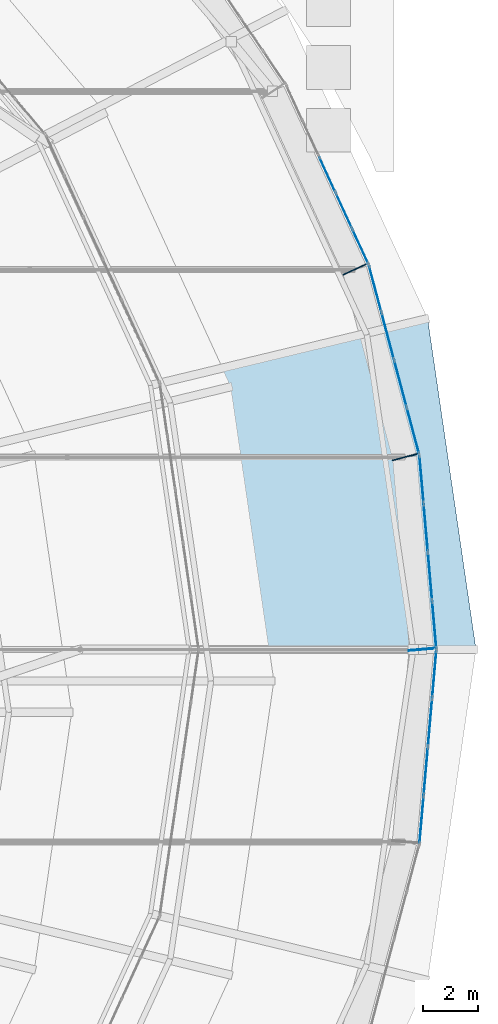
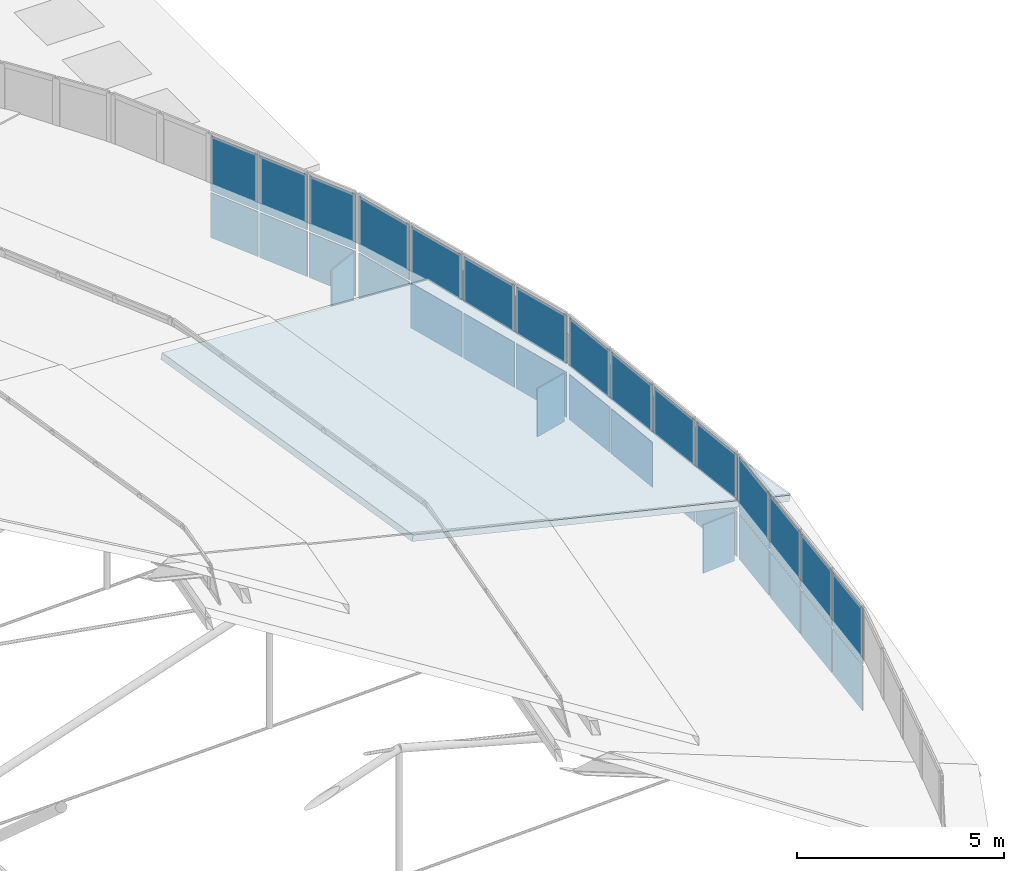
# One storey, part 154 of 173: 33 plates, 1 slab, 5 elements without a shape of their own.
"""IFC4 building model written with IfcOpenShell, lengths in metres."""

from ifc_helpers import new_model, si_unit, direction, frame, origin, origin_2d, place, context, subcontext, project, spatial, polyline, rectangle, outline, extrude, material, layer, layer_set, type_object, element, aggregate, save


model = new_model("IFC4")

# Units and contexts
model_context = context("Model", 3, precision=1e-05, world=origin(), true_north=direction((0.0, 1.0)))
body_context = subcontext(model_context, "Body", "Model", "MODEL_VIEW")
ifc_project = project(units=[si_unit("LENGTHUNIT", "METRE"), si_unit("AREAUNIT", "SQUARE_METRE"), si_unit("VOLUMEUNIT", "CUBIC_METRE"), si_unit("PLANEANGLEUNIT", "RADIAN"), si_unit("MASSUNIT", "GRAM", prefix="KILO")], contexts=[model_context])

# Site, building, storey
site_placement = place(None, origin())
site = spatial("IfcSite", under=ifc_project, at=site_placement, CompositionType="ELEMENT")
building_placement = place(site_placement, origin())
building = spatial("IfcBuilding", under=site, at=building_placement, Name="Glasvene Arena", CompositionType="ELEMENT")
storey_placement = place(building_placement, frame((0.0, 0.0, 28.800048828125)))
storey = spatial("IfcBuildingStorey", under=building, at=storey_placement, Name="RF", CompositionType="ELEMENT", Elevation=28.800048828125)

# Curtain wall, plates
ifc_material_1 = material(Name="Low-emissivity laminated double glazing", Category="glass")
curtain_wall_type_1 = type_object("IfcCurtainWallType", Name="CW-DRUM-715x310", PredefinedType="USERDEFINED", material=ifc_material_1)
curtain_wall_1_placement = place(storey_placement, frame((142.550048828125, 73.0, 0.0)))
curtain_wall_1 = element("IfcCurtainWall", 1, at=curtain_wall_1_placement, inside=storey, type_object=curtain_wall_type_1, Name="Crown compression-ring fascia curtain wall 01", ObjectType="CURTAIN WALL", PredefinedType="USERDEFINED")
ifc_material_2 = material(Name="Insulated shadow-box spandrel panel")
ifc_layer_1 = layer(ifc_material_2, 0.02392578125)
ifc_layer_set_1 = layer_set([ifc_layer_1], Name="Insulated shadow-box spandrel panel")
plate_type_1 = type_object("IfcPlateType", Name="CW-SPN-24", PredefinedType="CURTAIN_PANEL", material=ifc_layer_set_1)
plate_1_placement = place(storey_placement, frame((142.47119140625, 73.903076171875, -1.330078125), z_axis=(0.0, 0.0, 1.0), x_axis=(-0.0870157178, 0.996206938771, 0.0)))
plate_1 = element("IfcPlate", 2, at=plate_1_placement, type_object=plate_type_1, Name="CW-071 panel 1.1", PredefinedType="CURTAIN_PANEL", context=body_context, shape_type="SweptSolid", body=[
    extrude(rectangle(XDim=1.713134765625, YDim=0.02392578125, at=origin_2d()), origin(), (0.0, 0.0, 1.0), 1.324951171875),
])
plate_2_placement = place(storey_placement, frame((142.47119140625, 73.903076171875, 0.044921875), z_axis=(0.0, 0.0, 1.0), x_axis=(-0.0870157178, 0.996206938771, 0.0)))
plate_2 = element("IfcPlate", 3, at=plate_2_placement, type_object=plate_type_1, Name="CW-071 panel 1.2", PredefinedType="CURTAIN_PANEL", context=body_context, shape_type="SweptSolid", body=[
    extrude(rectangle(XDim=1.713134765625, YDim=0.02392578125, at=origin_2d()), origin(), (0.0, 0.0, 1.0), 1.625),
])
plate_3_placement = place(storey_placement, frame((142.316650390625, 75.672119140625, -1.330078125), z_axis=(0.0, 0.0, 1.0), x_axis=(-0.0870157178, 0.996206938771, 0.0)))
plate_3 = element("IfcPlate", 4, at=plate_3_placement, type_object=plate_type_1, Name="CW-071 panel 2.1", PredefinedType="CURTAIN_PANEL", context=body_context, shape_type="SweptSolid", body=[
    extrude(rectangle(XDim=1.73828125, YDim=0.02392578125, at=origin_2d()), origin(), (0.0, 0.0, 1.0), 1.324951171875),
])
plate_4_placement = place(storey_placement, frame((142.316650390625, 75.672119140625, 0.044921875), z_axis=(0.0, 0.0, 1.0), x_axis=(-0.0870157178, 0.996206938771, 0.0)))
plate_4 = element("IfcPlate", 5, at=plate_4_placement, type_object=plate_type_1, Name="CW-071 panel 2.2", PredefinedType="CURTAIN_PANEL", context=body_context, shape_type="SweptSolid", body=[
    extrude(rectangle(XDim=1.73828125, YDim=0.02392578125, at=origin_2d()), origin(), (0.0, 0.0, 1.0), 1.625),
])
plate_5_placement = place(storey_placement, frame((142.160888671875, 77.45361328125, -1.330078125), z_axis=(0.0, 0.0, 1.0), x_axis=(-0.0870157178, 0.996206938771, 0.0)))
plate_5 = element("IfcPlate", 6, at=plate_5_placement, type_object=plate_type_1, Name="CW-071 panel 3.1", PredefinedType="CURTAIN_PANEL", context=body_context, shape_type="SweptSolid", body=[
    extrude(rectangle(XDim=1.73828125, YDim=0.02392578125, at=origin_2d()), origin(), (0.0, 0.0, 1.0), 1.324951171875),
])
plate_6_placement = place(storey_placement, frame((142.160888671875, 77.45361328125, 0.044921875), z_axis=(0.0, 0.0, 1.0), x_axis=(-0.0870157178, 0.996206938771, 0.0)))
plate_6 = element("IfcPlate", 7, at=plate_6_placement, type_object=plate_type_1, Name="CW-071 panel 3.2", PredefinedType="CURTAIN_PANEL", context=body_context, shape_type="SweptSolid", body=[
    extrude(rectangle(XDim=1.73828125, YDim=0.02392578125, at=origin_2d()), origin(), (0.0, 0.0, 1.0), 1.625),
])
plate_7_placement = place(storey_placement, frame((142.006591796875, 79.222412109375, -1.330078125), z_axis=(0.0, 0.0, 1.0), x_axis=(-0.0870157178, 0.996206938771, 0.0)))
plate_7 = element("IfcPlate", 8, at=plate_7_placement, type_object=plate_type_1, Name="CW-071 panel 4.1", PredefinedType="CURTAIN_PANEL", context=body_context, shape_type="SweptSolid", body=[
    extrude(rectangle(XDim=1.713134765625, YDim=0.02392578125, at=origin_2d()), origin(), (0.0, 0.0, 1.0), 1.324951171875),
])
plate_8_placement = place(storey_placement, frame((142.006591796875, 79.222412109375, 0.044921875), z_axis=(0.0, 0.0, 1.0), x_axis=(-0.0870157178, 0.996206938771, 0.0)))
plate_8 = element("IfcPlate", 9, at=plate_8_placement, type_object=plate_type_1, Name="CW-071 panel 4.2", PredefinedType="CURTAIN_PANEL", context=body_context, shape_type="SweptSolid", body=[
    extrude(rectangle(XDim=1.713134765625, YDim=0.02392578125, at=origin_2d()), origin(), (0.0, 0.0, 1.0), 1.625),
])
aggregate(curtain_wall_1, [plate_1, plate_2, plate_3, plate_4, plate_5, plate_6, plate_7, plate_8])

curtain_wall_type_2 = type_object("IfcCurtainWallType", Name="CW-DRUM-719x310", PredefinedType="USERDEFINED", material=ifc_material_1)
curtain_wall_2_placement = place(storey_placement, frame((141.927490234375, 80.12548828125, 0.0)))
curtain_wall_2 = element("IfcCurtainWall", 10, at=curtain_wall_2_placement, inside=storey, type_object=curtain_wall_type_2, Name="Crown compression-ring fascia curtain wall 02", ObjectType="CURTAIN WALL", PredefinedType="USERDEFINED")
plate_9_placement = place(storey_placement, frame((141.69287109375, 81.00634765625, -1.330078125), z_axis=(0.0, 0.0, 1.0), x_axis=(-0.257447172039, 0.966292374807, 0.0)))
plate_9 = element("IfcPlate", 11, at=plate_9_placement, type_object=plate_type_1, Name="CW-072 panel 1.1", PredefinedType="CURTAIN_PANEL", context=body_context, shape_type="SweptSolid", body=[
    extrude(rectangle(XDim=1.72314453125, YDim=0.02392578125, at=origin_2d()), origin(), (0.0, 0.0, 1.0), 1.324951171875),
])
plate_10_placement = place(storey_placement, frame((141.69287109375, 81.00634765625, 0.044921875), z_axis=(0.0, 0.0, 1.0), x_axis=(-0.257447172039, 0.966292374807, 0.0)))
plate_10 = element("IfcPlate", 12, at=plate_10_placement, type_object=plate_type_1, Name="CW-072 panel 1.2", PredefinedType="CURTAIN_PANEL", context=body_context, shape_type="SweptSolid", body=[
    extrude(rectangle(XDim=1.72314453125, YDim=0.02392578125, at=origin_2d()), origin(), (0.0, 0.0, 1.0), 1.625),
])
plate_11_placement = place(storey_placement, frame((141.233154296875, 82.73193359375, -1.330078125), z_axis=(0.0, 0.0, 1.0), x_axis=(-0.257447172039, 0.966292374807, 0.0)))
plate_11 = element("IfcPlate", 13, at=plate_11_placement, type_object=plate_type_1, Name="CW-072 panel 2.1", PredefinedType="CURTAIN_PANEL", context=body_context, shape_type="SweptSolid", body=[
    extrude(rectangle(XDim=1.748046875, YDim=0.02392578125, at=origin_2d()), origin(), (0.0, 0.0, 1.0), 1.324951171875),
])
plate_12_placement = place(storey_placement, frame((141.233154296875, 82.73193359375, 0.044921875), z_axis=(0.0, 0.0, 1.0), x_axis=(-0.257447172039, 0.966292374807, 0.0)))
plate_12 = element("IfcPlate", 14, at=plate_12_placement, type_object=plate_type_1, Name="CW-072 panel 2.2", PredefinedType="CURTAIN_PANEL", context=body_context, shape_type="SweptSolid", body=[
    extrude(rectangle(XDim=1.748046875, YDim=0.02392578125, at=origin_2d()), origin(), (0.0, 0.0, 1.0), 1.625),
])
plate_13_placement = place(storey_placement, frame((140.770263671875, 84.469482421875, -1.330078125), z_axis=(0.0, 0.0, 1.0), x_axis=(-0.257447172039, 0.966292374807, 0.0)))
plate_13 = element("IfcPlate", 15, at=plate_13_placement, type_object=plate_type_1, Name="CW-072 panel 3.1", PredefinedType="CURTAIN_PANEL", context=body_context, shape_type="SweptSolid", body=[
    extrude(rectangle(XDim=1.748046875, YDim=0.02392578125, at=origin_2d()), origin(), (0.0, 0.0, 1.0), 1.324951171875),
])
plate_14_placement = place(storey_placement, frame((140.770263671875, 84.469482421875, 0.044921875), z_axis=(0.0, 0.0, 1.0), x_axis=(-0.257447172039, 0.966292374807, 0.0)))
plate_14 = element("IfcPlate", 16, at=plate_14_placement, type_object=plate_type_1, Name="CW-072 panel 3.2", PredefinedType="CURTAIN_PANEL", context=body_context, shape_type="SweptSolid", body=[
    extrude(rectangle(XDim=1.748046875, YDim=0.02392578125, at=origin_2d()), origin(), (0.0, 0.0, 1.0), 1.625),
])
plate_15_placement = place(storey_placement, frame((140.310546875, 86.19482421875, -1.330078125), z_axis=(0.0, 0.0, 1.0), x_axis=(-0.257447172039, 0.966292374807, 0.0)))
plate_15 = element("IfcPlate", 17, at=plate_15_placement, type_object=plate_type_1, Name="CW-072 panel 4.1", PredefinedType="CURTAIN_PANEL", context=body_context, shape_type="SweptSolid", body=[
    extrude(rectangle(XDim=1.72314453125, YDim=0.02392578125, at=origin_2d()), origin(), (0.0, 0.0, 1.0), 1.324951171875),
])
plate_16_placement = place(storey_placement, frame((140.310546875, 86.19482421875, 0.044921875), z_axis=(0.0, 0.0, 1.0), x_axis=(-0.257447172039, 0.966292374807, 0.0)))
plate_16 = element("IfcPlate", 18, at=plate_16_placement, type_object=plate_type_1, Name="CW-072 panel 4.2", PredefinedType="CURTAIN_PANEL", context=body_context, shape_type="SweptSolid", body=[
    extrude(rectangle(XDim=1.72314453125, YDim=0.02392578125, at=origin_2d()), origin(), (0.0, 0.0, 1.0), 1.625),
])
aggregate(curtain_wall_2, [plate_9, plate_10, plate_11, plate_12, plate_13, plate_14, plate_15, plate_16])

curtain_wall_type_3 = type_object("IfcCurtainWallType", Name="CW-DRUM-727x310", PredefinedType="USERDEFINED", material=ifc_material_1)
curtain_wall_3_placement = place(storey_placement, frame((140.075927734375, 87.07568359375, 0.0)))
curtain_wall_3 = element("IfcCurtainWall", 19, at=curtain_wall_3_placement, inside=storey, type_object=curtain_wall_type_3, Name="Crown compression-ring fascia curtain wall 03", ObjectType="CURTAIN WALL", PredefinedType="USERDEFINED")
plate_17_placement = place(storey_placement, frame((139.76708984375, 87.747314453125, -1.330078125), z_axis=(0.0, 0.0, 1.0), x_axis=(-0.417660752738, 0.908603046232, 0.0)))
plate_17 = element("IfcPlate", 20, at=plate_17_placement, type_object=plate_type_1, Name="CW-073 panel 1.1", PredefinedType="CURTAIN_PANEL", context=body_context, shape_type="SweptSolid", body=[
    extrude(rectangle(XDim=1.378662109375, YDim=0.02392578125, at=origin_2d()), origin(), (0.0, 0.0, 1.0), 1.324951171875),
])
plate_18_placement = place(storey_placement, frame((139.76708984375, 87.747314453125, 0.044921875), z_axis=(0.0, 0.0, 1.0), x_axis=(-0.417660752738, 0.908603046232, 0.0)))
plate_18 = element("IfcPlate", 21, at=plate_18_placement, type_object=plate_type_1, Name="CW-073 panel 1.2", PredefinedType="CURTAIN_PANEL", context=body_context, shape_type="SweptSolid", body=[
    extrude(rectangle(XDim=1.378662109375, YDim=0.02392578125, at=origin_2d()), origin(), (0.0, 0.0, 1.0), 1.625),
])
plate_19_placement = place(storey_placement, frame((139.165283203125, 89.056884765625, -1.330078125), z_axis=(0.0, 0.0, 1.0), x_axis=(-0.417660752738, 0.908603046232, 0.0)))
plate_19 = element("IfcPlate", 22, at=plate_19_placement, type_object=plate_type_1, Name="CW-073 panel 2.1", PredefinedType="CURTAIN_PANEL", context=body_context, shape_type="SweptSolid", body=[
    extrude(rectangle(XDim=1.403564453125, YDim=0.02392578125, at=origin_2d()), origin(), (0.0, 0.0, 1.0), 1.324951171875),
])
plate_20_placement = place(storey_placement, frame((139.165283203125, 89.056884765625, 0.044921875), z_axis=(0.0, 0.0, 1.0), x_axis=(-0.417660752738, 0.908603046232, 0.0)))
plate_20 = element("IfcPlate", 23, at=plate_20_placement, type_object=plate_type_1, Name="CW-073 panel 2.2", PredefinedType="CURTAIN_PANEL", context=body_context, shape_type="SweptSolid", body=[
    extrude(rectangle(XDim=1.403564453125, YDim=0.02392578125, at=origin_2d()), origin(), (0.0, 0.0, 1.0), 1.625),
])
plate_21_placement = place(storey_placement, frame((138.55810546875, 90.37744140625, -1.330078125), z_axis=(0.0, 0.0, 1.0), x_axis=(-0.417660752738, 0.908603046232, 0.0)))
plate_21 = element("IfcPlate", 24, at=plate_21_placement, type_object=plate_type_1, Name="CW-073 panel 3.1", PredefinedType="CURTAIN_PANEL", context=body_context, shape_type="SweptSolid", body=[
    extrude(rectangle(XDim=1.403564453125, YDim=0.02392578125, at=origin_2d()), origin(), (0.0, 0.0, 1.0), 1.324951171875),
])
plate_22_placement = place(storey_placement, frame((138.55810546875, 90.37744140625, 0.044921875), z_axis=(0.0, 0.0, 1.0), x_axis=(-0.417660752738, 0.908603046232, 0.0)))
plate_22 = element("IfcPlate", 25, at=plate_22_placement, type_object=plate_type_1, Name="CW-073 panel 3.2", PredefinedType="CURTAIN_PANEL", context=body_context, shape_type="SweptSolid", body=[
    extrude(rectangle(XDim=1.403564453125, YDim=0.02392578125, at=origin_2d()), origin(), (0.0, 0.0, 1.0), 1.625),
])
aggregate(curtain_wall_3, [plate_17, plate_18, plate_19, plate_20, plate_21, plate_22])

curtain_wall_4_placement = place(storey_placement, frame((141.927490234375, 65.87451171875, 0.0)))
curtain_wall_4 = element("IfcCurtainWall", 26, at=curtain_wall_4_placement, inside=storey, type_object=curtain_wall_type_1, Name="Crown compression-ring fascia curtain wall 40", ObjectType="CURTAIN WALL", PredefinedType="USERDEFINED")
plate_23_placement = place(storey_placement, frame((142.006591796875, 66.777587890625, -1.330078125), z_axis=(0.0, 0.0, 1.0), x_axis=(0.0870157178, 0.996206938771, 0.0)))
plate_23 = element("IfcPlate", 27, at=plate_23_placement, type_object=plate_type_1, Name="CW-071 panel 1.1", PredefinedType="CURTAIN_PANEL", context=body_context, shape_type="SweptSolid", body=[
    extrude(rectangle(XDim=1.713134765625, YDim=0.02392578125, at=origin_2d()), origin(), (0.0, 0.0, 1.0), 1.324951171875),
])
plate_24_placement = place(storey_placement, frame((142.006591796875, 66.777587890625, 0.044921875), z_axis=(0.0, 0.0, 1.0), x_axis=(0.0870157178, 0.996206938771, 0.0)))
plate_24 = element("IfcPlate", 28, at=plate_24_placement, type_object=plate_type_1, Name="CW-071 panel 1.2", PredefinedType="CURTAIN_PANEL", context=body_context, shape_type="SweptSolid", body=[
    extrude(rectangle(XDim=1.713134765625, YDim=0.02392578125, at=origin_2d()), origin(), (0.0, 0.0, 1.0), 1.625),
])
plate_25_placement = place(storey_placement, frame((142.160888671875, 68.54638671875, -1.330078125), z_axis=(0.0, 0.0, 1.0), x_axis=(0.0870157178, 0.996206938771, 0.0)))
plate_25 = element("IfcPlate", 29, at=plate_25_placement, type_object=plate_type_1, Name="CW-071 panel 2.1", PredefinedType="CURTAIN_PANEL", context=body_context, shape_type="SweptSolid", body=[
    extrude(rectangle(XDim=1.73828125, YDim=0.02392578125, at=origin_2d()), origin(), (0.0, 0.0, 1.0), 1.324951171875),
])
plate_26_placement = place(storey_placement, frame((142.160888671875, 68.54638671875, 0.044921875), z_axis=(0.0, 0.0, 1.0), x_axis=(0.0870157178, 0.996206938771, 0.0)))
plate_26 = element("IfcPlate", 30, at=plate_26_placement, type_object=plate_type_1, Name="CW-071 panel 2.2", PredefinedType="CURTAIN_PANEL", context=body_context, shape_type="SweptSolid", body=[
    extrude(rectangle(XDim=1.73828125, YDim=0.02392578125, at=origin_2d()), origin(), (0.0, 0.0, 1.0), 1.625),
])
plate_27_placement = place(storey_placement, frame((142.316650390625, 70.327880859375, -1.330078125), z_axis=(0.0, 0.0, 1.0), x_axis=(0.0870157178, 0.996206938771, 0.0)))
plate_27 = element("IfcPlate", 31, at=plate_27_placement, type_object=plate_type_1, Name="CW-071 panel 3.1", PredefinedType="CURTAIN_PANEL", context=body_context, shape_type="SweptSolid", body=[
    extrude(rectangle(XDim=1.73828125, YDim=0.02392578125, at=origin_2d()), origin(), (0.0, 0.0, 1.0), 1.324951171875),
])
plate_28_placement = place(storey_placement, frame((142.316650390625, 70.327880859375, 0.044921875), z_axis=(0.0, 0.0, 1.0), x_axis=(0.0870157178, 0.996206938771, 0.0)))
plate_28 = element("IfcPlate", 32, at=plate_28_placement, type_object=plate_type_1, Name="CW-071 panel 3.2", PredefinedType="CURTAIN_PANEL", context=body_context, shape_type="SweptSolid", body=[
    extrude(rectangle(XDim=1.73828125, YDim=0.02392578125, at=origin_2d()), origin(), (0.0, 0.0, 1.0), 1.625),
])
plate_29_placement = place(storey_placement, frame((142.47119140625, 72.096923828125, -1.330078125), z_axis=(0.0, 0.0, 1.0), x_axis=(0.0870157178, 0.996206938771, 0.0)))
plate_29 = element("IfcPlate", 33, at=plate_29_placement, type_object=plate_type_1, Name="CW-071 panel 4.1", PredefinedType="CURTAIN_PANEL", context=body_context, shape_type="SweptSolid", body=[
    extrude(rectangle(XDim=1.713134765625, YDim=0.02392578125, at=origin_2d()), origin(), (0.0, 0.0, 1.0), 1.324951171875),
])
plate_30_placement = place(storey_placement, frame((142.47119140625, 72.096923828125, 0.044921875), z_axis=(0.0, 0.0, 1.0), x_axis=(0.0870157178, 0.996206938771, 0.0)))
plate_30 = element("IfcPlate", 34, at=plate_30_placement, type_object=plate_type_1, Name="CW-071 panel 4.2", PredefinedType="CURTAIN_PANEL", context=body_context, shape_type="SweptSolid", body=[
    extrude(rectangle(XDim=1.713134765625, YDim=0.02392578125, at=origin_2d()), origin(), (0.0, 0.0, 1.0), 1.625),
])
aggregate(curtain_wall_4, [plate_23, plate_24, plate_25, plate_26, plate_27, plate_28, plate_29, plate_30])

# Plates
ifc_material_3 = material(Name="Steel S355J2", Category="steel")
ifc_layer_2 = layer(ifc_material_3, 0.035888671875)
ifc_layer_set_2 = layer_set([ifc_layer_2], Name="Steel S355J2")
plate_type_2 = type_object("IfcPlateType", Name="PL-CAP-36", PredefinedType="SHEET", material=ifc_layer_set_2)
for number, where, z_axis, x_axis, name in (
    (35, (142.0, 73.0, -1.409912109375), (0.0, 0.0, 1.0), (-0.087155742748, 0.996194698092, 0.0), "Ring beam node diaphragm cap plate ND-01"),
    (36, (141.384521484375, 80.03955078125, -1.409912109375), (0.0, 0.0, 1.0), (-0.257807388214, 0.966196331282, 0.0), "Ring beam node diaphragm cap plate ND-02"),
    (37, (139.552734375, 86.90576171875, -1.409912109375), (0.0, 0.0, 1.0), (-0.418025632026, 0.908435232127, 0.0), "Ring beam node diaphragm cap plate ND-03"),
):
    element("IfcPlate", number, at=place(storey_placement, frame(where, z_axis=z_axis, x_axis=x_axis)), inside=storey, type_object=plate_type_2, Name=name, PredefinedType="SHEET", context=body_context, shape_type="SweptSolid", body=[
        extrude(rectangle(XDim=0.035888671875, YDim=0.919921875, at=origin_2d()), origin(), (0.0, 0.0, 1.0), 1.419921875),
    ])

# Roof, slab
ifc_material_4 = material(Name="Smooth matte white insulated roof panel")
ifc_layer_3 = layer(ifc_material_4, 0.179931640625)
ifc_layer_set_3 = layer_set([ifc_layer_3], Name="Smooth matte white insulated roof panel")
roof_type = type_object("IfcRoofType", Name="RF-PETAL-ASSY", PredefinedType="PAVILION_ROOF", material=ifc_layer_set_3)
roof_placement = place(storey_placement, frame((92.0, 73.0, 0.0)))
roof = element("IfcRoof", 38, at=roof_placement, inside=storey, type_object=roof_type, Name="Shifted white elliptical petal roof ring 1", PredefinedType="PAVILION_ROOF")
ifc_material_5 = material(Name="Precast concrete C50/60", Category="concrete")
ifc_layer_4 = layer(ifc_material_5, 0.179931640625)
ifc_layer_set_4 = layer_set([ifc_layer_4], Name="Precast concrete C50/60")
slab_type = type_object("IfcSlabType", Name="SL-PETAL-180", PredefinedType="ROOF", material=ifc_layer_set_4)
slab_placement = place(storey_placement, frame((144.0, 73.0, 0.0), z_axis=(0.231489028727, 0.033863152392, 0.972247970679), x_axis=(-0.144748418903, 0.989468491274, 1.18138e-06)))
slab = element("IfcSlab", 39, at=slab_placement, type_object=slab_type, Name="White petal roof slab ring 1 bay 01", PredefinedType="ROOF", context=body_context, shape_type="SweptSolid", body=[
    extrude(outline(polyline([(0.0, 0.0), (12.241717224232712, 4.440892098500626e-16), (11.289728837959428, 10.685861966750252), (1.5198613519329929, 10.685973117628508), (0.0, 0.0)])), origin(), (0.0, 0.0, -1.0), 0.179931640625),
])
aggregate(roof, [slab])

save(model, "model.ifc")
